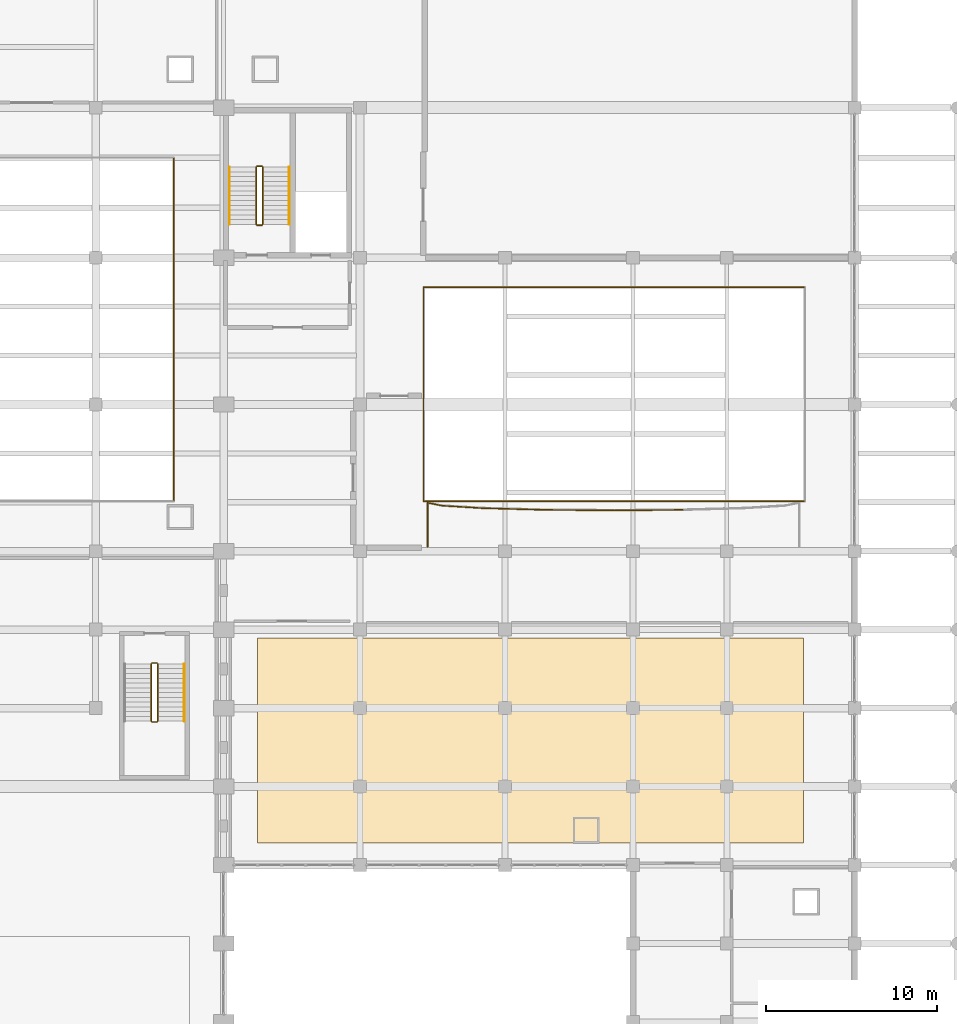
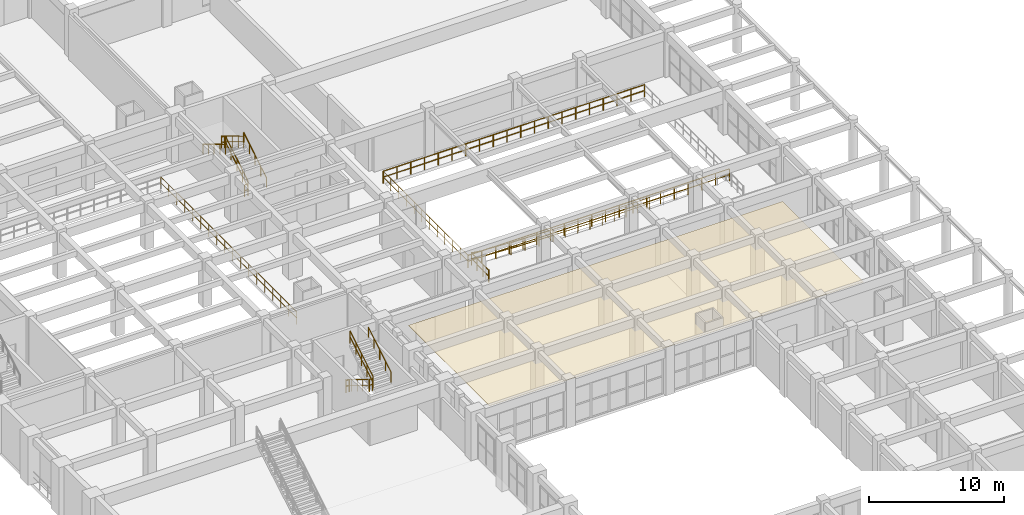
# One storey, part 115 of 116: 21 railings, 1 covering.
"""IFC4 building model written with IfcOpenShell, lengths in metres."""

from ifc_helpers import new_model, si_unit, direction, frame, origin, origin_2d, place, context, subcontext, project, spatial, polyline, circle, outline, extrude, material, layer, layer_set, type_object, element, save


model = new_model("IFC4")

# Units and contexts
model_context = context("Model", 3, precision=1e-05, world=origin(), true_north=direction((0.0, 1.0)))
body_context = subcontext(model_context, "Body", "Model", "MODEL_VIEW")
ifc_project = project(units=[si_unit("LENGTHUNIT", "METRE"), si_unit("AREAUNIT", "SQUARE_METRE"), si_unit("VOLUMEUNIT", "CUBIC_METRE"), si_unit("PLANEANGLEUNIT", "RADIAN"), si_unit("MASSUNIT", "GRAM", prefix="KILO")], contexts=[model_context])

# Site, building, storey
site_placement = place(None, origin())
site = spatial("IfcSite", under=ifc_project, at=site_placement, CompositionType="ELEMENT")
building_placement = place(site_placement, origin())
building = spatial("IfcBuilding", under=site, at=building_placement, Name="Muzn Square Opera House", CompositionType="ELEMENT")
storey_placement = place(building_placement, frame((0.0, 0.0, 5.39990234375)))
storey = spatial("IfcBuildingStorey", under=building, at=storey_placement, Name="L01", CompositionType="ELEMENT", Elevation=5.39990234375)

# Railings
ifc_material_1 = material(Name="Architectural bronze mashrabiya", Category="metal")
railing_type_1 = type_object("IfcRailingType", Name="Bronze Protective Balustrade 1120mm", PredefinedType="BALUSTRADE", material=ifc_material_1)
railing_1_placement = place(storey_placement, frame((130.080078125, 75.52001953125, 0.0)))
element("IfcRailing", 1, at=railing_1_placement, inside=storey, type_object=railing_type_1, Name="Void Edge Balustrade L01-0018", PredefinedType="BALUSTRADE", context=body_context, shape_type="SweptSolid", body=[
    extrude(circle(Radius=0.02392578125, at=origin_2d()), frame((0.0, 0.0, 1.09619140625), z_axis=(0.0, 1.0, 0.0), x_axis=(-1.0, 0.0, 0.0)), (0.0, 0.0, 1.0), 20.159912109375),
    extrude(circle(Radius=0.02392578125, at=origin_2d()), frame((0.0, 0.0, 0.56005859375), z_axis=(0.0, 1.0, 0.0), x_axis=(-1.0, 0.0, 0.0)), (0.0, 0.0, 1.0), 20.159912109375),
    extrude(circle(Radius=0.02099609375, at=origin_2d()), origin(), (0.0, 0.0, 1.0), 1.072021484375),
    extrude(circle(Radius=0.02099609375, at=origin_2d()), frame((0.0, 1.185791015625, 0.0)), (0.0, 0.0, 1.0), 1.072021484375),
    extrude(circle(Radius=0.02099609375, at=origin_2d()), frame((0.0, 2.371826171875, 0.0)), (0.0, 0.0, 1.0), 1.072021484375),
    extrude(circle(Radius=0.02099609375, at=origin_2d()), frame((0.0, 3.5576171875, 0.0)), (0.0, 0.0, 1.0), 1.072021484375),
    extrude(circle(Radius=0.02099609375, at=origin_2d()), frame((0.0, 4.743408203125, 0.0)), (0.0, 0.0, 1.0), 1.072021484375),
    extrude(circle(Radius=0.02099609375, at=origin_2d()), frame((0.0, 5.929443359375, 0.0)), (0.0, 0.0, 1.0), 1.072021484375),
    extrude(circle(Radius=0.02099609375, at=origin_2d()), frame((0.0, 7.115234375, 0.0)), (0.0, 0.0, 1.0), 1.072021484375),
    extrude(circle(Radius=0.02099609375, at=origin_2d()), frame((0.0, 8.301025390625, 0.0)), (0.0, 0.0, 1.0), 1.072021484375),
    extrude(circle(Radius=0.02099609375, at=origin_2d()), frame((0.0, 9.487060546875, 0.0)), (0.0, 0.0, 1.0), 1.072021484375),
    extrude(circle(Radius=0.02099609375, at=origin_2d()), frame((0.0, 10.6728515625, 0.0)), (0.0, 0.0, 1.0), 1.072021484375),
    extrude(circle(Radius=0.02099609375, at=origin_2d()), frame((0.0, 11.85888671875, 0.0)), (0.0, 0.0, 1.0), 1.072021484375),
    extrude(circle(Radius=0.02099609375, at=origin_2d()), frame((0.0, 13.044677734375, 0.0)), (0.0, 0.0, 1.0), 1.072021484375),
    extrude(circle(Radius=0.02099609375, at=origin_2d()), frame((0.0, 14.23046875, 0.0)), (0.0, 0.0, 1.0), 1.072021484375),
    extrude(circle(Radius=0.02099609375, at=origin_2d()), frame((0.0, 15.41650390625, 0.0)), (0.0, 0.0, 1.0), 1.072021484375),
    extrude(circle(Radius=0.02099609375, at=origin_2d()), frame((0.0, 16.602294921875, 0.0)), (0.0, 0.0, 1.0), 1.072021484375),
    extrude(circle(Radius=0.02099609375, at=origin_2d()), frame((0.0, 17.7880859375, 0.0)), (0.0, 0.0, 1.0), 1.072021484375),
    extrude(circle(Radius=0.02099609375, at=origin_2d()), frame((0.0, 18.97412109375, 0.0)), (0.0, 0.0, 1.0), 1.072021484375),
    extrude(circle(Radius=0.02099609375, at=origin_2d()), frame((0.0, 20.159912109375, 0.0)), (0.0, 0.0, 1.0), 1.072021484375),
])
railing_2_placement = place(storey_placement, frame((144.719970703125, 75.52001953125, 0.0)))
element("IfcRailing", 2, at=railing_2_placement, inside=storey, type_object=railing_type_1, Name="Void Edge Balustrade L01-0025", PredefinedType="BALUSTRADE", context=body_context, shape_type="SweptSolid", body=[
    extrude(circle(Radius=0.02392578125, at=origin_2d()), frame((0.0, 0.0, 1.09619140625), z_axis=(1.0, 0.0, 0.0), x_axis=(0.0, 1.0, 0.0)), (0.0, 0.0, 1.0), 22.360107421875),
    extrude(circle(Radius=0.02392578125, at=origin_2d()), frame((0.0, 0.0, 0.56005859375), z_axis=(1.0, 0.0, 0.0), x_axis=(0.0, 1.0, 0.0)), (0.0, 0.0, 1.0), 22.360107421875),
    extrude(circle(Radius=0.02099609375, at=origin_2d()), origin(), (0.0, 0.0, 1.0), 1.072021484375),
    extrude(circle(Radius=0.02099609375, at=origin_2d()), frame((1.1767578125, 0.0, 0.0)), (0.0, 0.0, 1.0), 1.072021484375),
    extrude(circle(Radius=0.02099609375, at=origin_2d()), frame((2.353759765625, 0.0, 0.0)), (0.0, 0.0, 1.0), 1.072021484375),
    extrude(circle(Radius=0.02099609375, at=origin_2d()), frame((3.530517578125, 0.0, 0.0)), (0.0, 0.0, 1.0), 1.072021484375),
    extrude(circle(Radius=0.02099609375, at=origin_2d()), frame((4.707275390625, 0.0, 0.0)), (0.0, 0.0, 1.0), 1.072021484375),
    extrude(circle(Radius=0.02099609375, at=origin_2d()), frame((5.88427734375, 0.0, 0.0)), (0.0, 0.0, 1.0), 1.072021484375),
    extrude(circle(Radius=0.02099609375, at=origin_2d()), frame((7.06103515625, 0.0, 0.0)), (0.0, 0.0, 1.0), 1.072021484375),
    extrude(circle(Radius=0.02099609375, at=origin_2d()), frame((8.238037109375, 0.0, 0.0)), (0.0, 0.0, 1.0), 1.072021484375),
    extrude(circle(Radius=0.02099609375, at=origin_2d()), frame((9.414794921875, 0.0, 0.0)), (0.0, 0.0, 1.0), 1.072021484375),
    extrude(circle(Radius=0.02099609375, at=origin_2d()), frame((10.591552734375, 0.0, 0.0)), (0.0, 0.0, 1.0), 1.072021484375),
    extrude(circle(Radius=0.02099609375, at=origin_2d()), frame((11.7685546875, 0.0, 0.0)), (0.0, 0.0, 1.0), 1.072021484375),
    extrude(circle(Radius=0.02099609375, at=origin_2d()), frame((12.9453125, 0.0, 0.0)), (0.0, 0.0, 1.0), 1.072021484375),
    extrude(circle(Radius=0.02099609375, at=origin_2d()), frame((14.1220703125, 0.0, 0.0)), (0.0, 0.0, 1.0), 1.072021484375),
    extrude(circle(Radius=0.02099609375, at=origin_2d()), frame((15.299072265625, 0.0, 0.0)), (0.0, 0.0, 1.0), 1.072021484375),
    extrude(circle(Radius=0.02099609375, at=origin_2d()), frame((16.475830078125, 0.0, 0.0)), (0.0, 0.0, 1.0), 1.072021484375),
    extrude(circle(Radius=0.02099609375, at=origin_2d()), frame((17.65283203125, 0.0, 0.0)), (0.0, 0.0, 1.0), 1.072021484375),
    extrude(circle(Radius=0.02099609375, at=origin_2d()), frame((18.82958984375, 0.0, 0.0)), (0.0, 0.0, 1.0), 1.072021484375),
    extrude(circle(Radius=0.02099609375, at=origin_2d()), frame((20.00634765625, 0.0, 0.0)), (0.0, 0.0, 1.0), 1.072021484375),
    extrude(circle(Radius=0.02099609375, at=origin_2d()), frame((21.183349609375, 0.0, 0.0)), (0.0, 0.0, 1.0), 1.072021484375),
    extrude(circle(Radius=0.02099609375, at=origin_2d()), frame((22.360107421875, 0.0, 0.0)), (0.0, 0.0, 1.0), 1.072021484375),
])
railing_3_placement = place(storey_placement, frame((167.080078125, 88.080078125, 0.0)))
element("IfcRailing", 3, at=railing_3_placement, inside=storey, type_object=railing_type_1, Name="Void Edge Balustrade L01-0027", PredefinedType="BALUSTRADE", context=body_context, shape_type="SweptSolid", body=[
    extrude(circle(Radius=0.02392578125, at=origin_2d()), frame((0.0, 0.0, 1.09619140625), z_axis=(-1.0, 0.0, 0.0), x_axis=(0.0, -1.0, 0.0)), (0.0, 0.0, 1.0), 22.360107421875),
    extrude(circle(Radius=0.02392578125, at=origin_2d()), frame((0.0, 0.0, 0.56005859375), z_axis=(-1.0, 0.0, 0.0), x_axis=(0.0, -1.0, 0.0)), (0.0, 0.0, 1.0), 22.360107421875),
    extrude(circle(Radius=0.02099609375, at=origin_2d()), origin(), (0.0, 0.0, 1.0), 1.072021484375),
    extrude(circle(Radius=0.02099609375, at=origin_2d()), frame((-1.1767578125, 0.0, 0.0)), (0.0, 0.0, 1.0), 1.072021484375),
    extrude(circle(Radius=0.02099609375, at=origin_2d()), frame((-2.353759765625, 0.0, 0.0)), (0.0, 0.0, 1.0), 1.072021484375),
    extrude(circle(Radius=0.02099609375, at=origin_2d()), frame((-3.530517578125, 0.0, 0.0)), (0.0, 0.0, 1.0), 1.072021484375),
    extrude(circle(Radius=0.02099609375, at=origin_2d()), frame((-4.707275390625, 0.0, 0.0)), (0.0, 0.0, 1.0), 1.072021484375),
    extrude(circle(Radius=0.02099609375, at=origin_2d()), frame((-5.88427734375, 0.0, 0.0)), (0.0, 0.0, 1.0), 1.072021484375),
    extrude(circle(Radius=0.02099609375, at=origin_2d()), frame((-7.06103515625, 0.0, 0.0)), (0.0, 0.0, 1.0), 1.072021484375),
    extrude(circle(Radius=0.02099609375, at=origin_2d()), frame((-8.238037109375, 0.0, 0.0)), (0.0, 0.0, 1.0), 1.072021484375),
    extrude(circle(Radius=0.02099609375, at=origin_2d()), frame((-9.414794921875, 0.0, 0.0)), (0.0, 0.0, 1.0), 1.072021484375),
    extrude(circle(Radius=0.02099609375, at=origin_2d()), frame((-10.591552734375, 0.0, 0.0)), (0.0, 0.0, 1.0), 1.072021484375),
    extrude(circle(Radius=0.02099609375, at=origin_2d()), frame((-11.7685546875, 0.0, 0.0)), (0.0, 0.0, 1.0), 1.072021484375),
    extrude(circle(Radius=0.02099609375, at=origin_2d()), frame((-12.9453125, 0.0, 0.0)), (0.0, 0.0, 1.0), 1.072021484375),
    extrude(circle(Radius=0.02099609375, at=origin_2d()), frame((-14.1220703125, 0.0, 0.0)), (0.0, 0.0, 1.0), 1.072021484375),
    extrude(circle(Radius=0.02099609375, at=origin_2d()), frame((-15.299072265625, 0.0, 0.0)), (0.0, 0.0, 1.0), 1.072021484375),
    extrude(circle(Radius=0.02099609375, at=origin_2d()), frame((-16.475830078125, 0.0, 0.0)), (0.0, 0.0, 1.0), 1.072021484375),
    extrude(circle(Radius=0.02099609375, at=origin_2d()), frame((-17.65283203125, 0.0, 0.0)), (0.0, 0.0, 1.0), 1.072021484375),
    extrude(circle(Radius=0.02099609375, at=origin_2d()), frame((-18.82958984375, 0.0, 0.0)), (0.0, 0.0, 1.0), 1.072021484375),
    extrude(circle(Radius=0.02099609375, at=origin_2d()), frame((-20.00634765625, 0.0, 0.0)), (0.0, 0.0, 1.0), 1.072021484375),
    extrude(circle(Radius=0.02099609375, at=origin_2d()), frame((-21.183349609375, 0.0, 0.0)), (0.0, 0.0, 1.0), 1.072021484375),
    extrude(circle(Radius=0.02099609375, at=origin_2d()), frame((-22.360107421875, 0.0, 0.0)), (0.0, 0.0, 1.0), 1.072021484375),
])
railing_4_placement = place(storey_placement, frame((144.719970703125, 88.080078125, 0.0)))
element("IfcRailing", 4, at=railing_4_placement, inside=storey, type_object=railing_type_1, Name="Void Edge Balustrade L01-0028", PredefinedType="BALUSTRADE", context=body_context, shape_type="SweptSolid", body=[
    extrude(circle(Radius=0.02392578125, at=origin_2d()), frame((0.0, 0.0, 1.09619140625), z_axis=(0.0, -1.0, 0.0), x_axis=(1.0, 0.0, 0.0)), (0.0, 0.0, 1.0), 12.56005859375),
    extrude(circle(Radius=0.02392578125, at=origin_2d()), frame((0.0, 0.0, 0.56005859375), z_axis=(0.0, -1.0, 0.0), x_axis=(1.0, 0.0, 0.0)), (0.0, 0.0, 1.0), 12.56005859375),
    extrude(circle(Radius=0.02099609375, at=origin_2d()), origin(), (0.0, 0.0, 1.0), 1.072021484375),
    extrude(circle(Radius=0.02099609375, at=origin_2d()), frame((0.0, -1.141845703125, 0.0)), (0.0, 0.0, 1.0), 1.072021484375),
    extrude(circle(Radius=0.02099609375, at=origin_2d()), frame((0.0, -2.28369140625, 0.0)), (0.0, 0.0, 1.0), 1.072021484375),
    extrude(circle(Radius=0.02099609375, at=origin_2d()), frame((0.0, -3.425537109375, 0.0)), (0.0, 0.0, 1.0), 1.072021484375),
    extrude(circle(Radius=0.02099609375, at=origin_2d()), frame((0.0, -4.5673828125, 0.0)), (0.0, 0.0, 1.0), 1.072021484375),
    extrude(circle(Radius=0.02099609375, at=origin_2d()), frame((0.0, -5.709228515625, 0.0)), (0.0, 0.0, 1.0), 1.072021484375),
    extrude(circle(Radius=0.02099609375, at=origin_2d()), frame((0.0, -6.850830078125, 0.0)), (0.0, 0.0, 1.0), 1.072021484375),
    extrude(circle(Radius=0.02099609375, at=origin_2d()), frame((0.0, -7.99267578125, 0.0)), (0.0, 0.0, 1.0), 1.072021484375),
    extrude(circle(Radius=0.02099609375, at=origin_2d()), frame((0.0, -9.134521484375, 0.0)), (0.0, 0.0, 1.0), 1.072021484375),
    extrude(circle(Radius=0.02099609375, at=origin_2d()), frame((0.0, -10.2763671875, 0.0)), (0.0, 0.0, 1.0), 1.072021484375),
    extrude(circle(Radius=0.02099609375, at=origin_2d()), frame((0.0, -11.418212890625, 0.0)), (0.0, 0.0, 1.0), 1.072021484375),
    extrude(circle(Radius=0.02099609375, at=origin_2d()), frame((0.0, -12.56005859375, 0.0)), (0.0, 0.0, 1.0), 1.072021484375),
])
railing_5_placement = place(storey_placement, frame((159.98046875, 75.0244140625, 0.2001953125)))
element("IfcRailing", 5, at=railing_5_placement, inside=storey, type_object=railing_type_1, Name="Auditorium Balcony Tier Front Balustrade L01-0171", PredefinedType="BALUSTRADE", context=body_context, shape_type="SweptSolid", body=[
    extrude(circle(Radius=0.02392578125, at=origin_2d()), frame((0.0, 0.0, 1.09619140625), z_axis=(-0.9999642433, -0.008456484034, 0.0), x_axis=(0.008456484034, -0.9999642433, 0.0)), (0.0, 0.0, 1.0), 4.07080078125),
    extrude(circle(Radius=0.02392578125, at=origin_2d()), frame((0.0, 0.0, 0.56005859375), z_axis=(-0.9999642433, -0.008456484034, 0.0), x_axis=(0.008456484034, -0.9999642433, 0.0)), (0.0, 0.0, 1.0), 4.07080078125),
    extrude(circle(Radius=0.02099609375, at=origin_2d()), origin(), (0.0, 0.0, 1.0), 1.072021484375),
    extrude(circle(Radius=0.02099609375, at=origin_2d()), frame((-1.017578125, -0.008544921875, 0.0)), (0.0, 0.0, 1.0), 1.072021484375),
    extrude(circle(Radius=0.02099609375, at=origin_2d()), frame((-2.03515625, -0.01708984375, 0.0)), (0.0, 0.0, 1.0), 1.072021484375),
    extrude(circle(Radius=0.02099609375, at=origin_2d()), frame((-3.052978515625, -0.02587890625, 0.0)), (0.0, 0.0, 1.0), 1.072021484375),
    extrude(circle(Radius=0.02099609375, at=origin_2d()), frame((-4.070556640625, -0.034423828125, 0.0)), (0.0, 0.0, 1.0), 1.072021484375),
])
railing_6_placement = place(storey_placement, frame((155.909912109375, 74.989990234375, 0.2001953125)))
element("IfcRailing", 6, at=railing_6_placement, inside=storey, type_object=railing_type_1, Name="Auditorium Balcony Tier Front Balustrade L01-0172", PredefinedType="BALUSTRADE", context=body_context, shape_type="SweptSolid", body=[
    extrude(circle(Radius=0.02392578125, at=origin_2d()), frame((0.0, 0.0, 1.09619140625), z_axis=(-0.999966259677, 0.008214591157, 0.0), x_axis=(-0.008214591157, -0.999966259677, 0.0)), (0.0, 0.0, 1.0), 4.190673828125),
    extrude(circle(Radius=0.02392578125, at=origin_2d()), frame((0.0, 0.0, 0.56005859375), z_axis=(-0.999966259677, 0.008214591157, 0.0), x_axis=(-0.008214591157, -0.999966259677, 0.0)), (0.0, 0.0, 1.0), 4.190673828125),
    extrude(circle(Radius=0.02099609375, at=origin_2d()), origin(), (0.0, 0.0, 1.0), 1.072021484375),
    extrude(circle(Radius=0.02099609375, at=origin_2d()), frame((-1.047607421875, 0.008544921875, 0.0)), (0.0, 0.0, 1.0), 1.072021484375),
    extrude(circle(Radius=0.02099609375, at=origin_2d()), frame((-2.09521484375, 0.01708984375, 0.0)), (0.0, 0.0, 1.0), 1.072021484375),
    extrude(circle(Radius=0.02099609375, at=origin_2d()), frame((-3.142822265625, 0.02587890625, 0.0)), (0.0, 0.0, 1.0), 1.072021484375),
    extrude(circle(Radius=0.02099609375, at=origin_2d()), frame((-4.1904296875, 0.034423828125, 0.0)), (0.0, 0.0, 1.0), 1.072021484375),
])
railing_7_placement = place(storey_placement, frame((151.719482421875, 75.0244140625, 0.2001953125)))
element("IfcRailing", 7, at=railing_7_placement, inside=storey, type_object=railing_type_1, Name="Auditorium Balcony Tier Front Balustrade L01-0173", PredefinedType="BALUSTRADE", context=body_context, shape_type="SweptSolid", body=[
    extrude(circle(Radius=0.02392578125, at=origin_2d()), frame((0.0, 0.0, 1.09619140625), z_axis=(-0.999624210233, 0.02741237525, 0.0), x_axis=(-0.02741237525, -0.999624210233, 0.0)), (0.0, 0.0, 1.0), 3.553466796875),
    extrude(circle(Radius=0.02392578125, at=origin_2d()), frame((0.0, 0.0, 0.56005859375), z_axis=(-0.999624210233, 0.02741237525, 0.0), x_axis=(-0.02741237525, -0.999624210233, 0.0)), (0.0, 0.0, 1.0), 3.553466796875),
    extrude(circle(Radius=0.02099609375, at=origin_2d()), origin(), (0.0, 0.0, 1.0), 1.072021484375),
    extrude(circle(Radius=0.02099609375, at=origin_2d()), frame((-1.18408203125, 0.032470703125, 0.0)), (0.0, 0.0, 1.0), 1.072021484375),
    extrude(circle(Radius=0.02099609375, at=origin_2d()), frame((-2.3681640625, 0.06494140625, 0.0)), (0.0, 0.0, 1.0), 1.072021484375),
    extrude(circle(Radius=0.02099609375, at=origin_2d()), frame((-3.55224609375, 0.097412109375, 0.0)), (0.0, 0.0, 1.0), 1.072021484375),
])
railing_8_placement = place(storey_placement, frame((148.167236328125, 75.121826171875, 0.2001953125)))
element("IfcRailing", 8, at=railing_8_placement, inside=storey, type_object=railing_type_1, Name="Auditorium Balcony Tier Front Balustrade L01-0174", PredefinedType="BALUSTRADE", context=body_context, shape_type="SweptSolid", body=[
    extrude(circle(Radius=0.02392578125, at=origin_2d()), frame((0.0, 0.0, 1.09619140625), z_axis=(-0.998113999395, 0.061387655213, 0.0), x_axis=(-0.061387655213, -0.998113999395, 0.0)), (0.0, 0.0, 1.0), 2.378173828125),
    extrude(circle(Radius=0.02392578125, at=origin_2d()), frame((0.0, 0.0, 0.56005859375), z_axis=(-0.998113999395, 0.061387655213, 0.0), x_axis=(-0.061387655213, -0.998113999395, 0.0)), (0.0, 0.0, 1.0), 2.378173828125),
    extrude(circle(Radius=0.02099609375, at=origin_2d()), origin(), (0.0, 0.0, 1.0), 1.072021484375),
    extrude(circle(Radius=0.02099609375, at=origin_2d()), frame((-1.18701171875, 0.072998046875, 0.0)), (0.0, 0.0, 1.0), 1.072021484375),
    extrude(circle(Radius=0.02099609375, at=origin_2d()), frame((-2.373779296875, 0.14599609375, 0.0)), (0.0, 0.0, 1.0), 1.072021484375),
])
railing_9_placement = place(storey_placement, frame((145.79345703125, 75.267822265625, 0.2001953125)))
element("IfcRailing", 9, at=railing_9_placement, inside=storey, type_object=railing_type_1, Name="Auditorium Balcony Tier Front Balustrade L01-0175", PredefinedType="BALUSTRADE", context=body_context, shape_type="SweptSolid", body=[
    extrude(circle(Radius=0.02392578125, at=origin_2d()), frame((0.0, 0.0, 1.09619140625), z_axis=(-0.979336888996, 0.202235649309, 0.0), x_axis=(-0.202235649309, -0.979336888996, 0.0)), (0.0, 0.0, 1.0), 0.85107421875),
    extrude(circle(Radius=0.02392578125, at=origin_2d()), frame((0.0, 0.0, 0.56005859375), z_axis=(-0.979336888996, 0.202235649309, 0.0), x_axis=(-0.202235649309, -0.979336888996, 0.0)), (0.0, 0.0, 1.0), 0.85107421875),
    extrude(circle(Radius=0.02099609375, at=origin_2d()), origin(), (0.0, 0.0, 1.0), 1.072021484375),
    extrude(circle(Radius=0.02099609375, at=origin_2d()), frame((-0.83349609375, 0.172119140625, 0.0)), (0.0, 0.0, 1.0), 1.072021484375),
])
railing_10_placement = place(storey_placement, frame((144.9599609375, 75.43994140625, 0.2001953125)))
element("IfcRailing", 10, at=railing_10_placement, inside=storey, type_object=railing_type_1, Name="Auditorium Balcony Tier Front Balustrade L01-0176", PredefinedType="BALUSTRADE", context=body_context, shape_type="SweptSolid", body=[
    extrude(circle(Radius=0.02392578125, at=origin_2d()), frame((0.0, 0.0, 1.09619140625), z_axis=(0.0, -1.0, 0.0), x_axis=(1.0, 0.0, 0.0)), (0.0, 0.0, 1.0), 2.579833984375),
    extrude(circle(Radius=0.02392578125, at=origin_2d()), frame((0.0, 0.0, 0.56005859375), z_axis=(0.0, -1.0, 0.0), x_axis=(1.0, 0.0, 0.0)), (0.0, 0.0, 1.0), 2.579833984375),
    extrude(circle(Radius=0.02099609375, at=origin_2d()), origin(), (0.0, 0.0, 1.0), 1.072021484375),
    extrude(circle(Radius=0.02099609375, at=origin_2d()), frame((0.0, -0.85986328125, 0.0)), (0.0, 0.0, 1.0), 1.072021484375),
    extrude(circle(Radius=0.02099609375, at=origin_2d()), frame((0.0, -1.719970703125, 0.0)), (0.0, 0.0, 1.0), 1.072021484375),
    extrude(circle(Radius=0.02099609375, at=origin_2d()), frame((0.0, -2.579833984375, 0.0)), (0.0, 0.0, 1.0), 1.072021484375),
])

# Covering
ifc_material_2 = material(Name="Acoustic walnut timber panelling", Category="wood")
ifc_layer = layer(ifc_material_2, 0.0400390625, Name="Acoustic walnut timber panelling", Category="wood")
ifc_layer_set = layer_set([ifc_layer], Name="Acoustic walnut timber panelling")
covering_type = type_object("IfcCoveringType", Name="Carved Walnut Acoustic Ceiling Cloud", PredefinedType="CEILING", material=ifc_layer_set)
covering_placement = place(storey_placement, frame((0.0, 0.0, 3.0)))
element("IfcCovering", 11, at=covering_placement, inside=storey, type_object=covering_type, Name="Fine-Dining Restaurant Acoustic Ceiling", PredefinedType="CEILING", context=body_context, shape_type="SweptSolid", body=[
    extrude(outline(polyline([(135.0, 55.5), (167.0, 55.5), (167.0, 67.5), (135.0, 67.5), (135.0, 55.5)])), origin(), (0.0, 0.0, 1.0), 0.0400390625),
])

# Railings
ifc_material_3 = material(Name="Brushed stainless steel", Category="metal")
railing_type_2 = type_object("IfcRailingType", Name="Stair Guard Railing 1120mm", PredefinedType="GUARDRAIL", material=ifc_material_3)
railing_11_placement = place(storey_placement, frame((135.2900390625, 91.760009765625, 0.16943359375)))
element("IfcRailing", 12, at=railing_11_placement, inside=storey, type_object=railing_type_2, Name="L01 ST-5 stair guard 1", PredefinedType="GUARDRAIL", context=body_context, shape_type="SweptSolid", body=[
    extrude(circle(Radius=0.02392578125, at=origin_2d()), frame((0.0, 0.0, 1.076171875), z_axis=(0.0, 0.855836976705, 0.517245656632), x_axis=(-1.0, 0.0, 0.0)), (0.0, 0.0, 1.0), 3.926025390625),
    extrude(circle(Radius=0.02392578125, at=origin_2d()), frame((0.0, 0.0, 0.550048828125), z_axis=(0.0, 0.855836976705, 0.517245656632), x_axis=(-1.0, 0.0, 0.0)), (0.0, 0.0, 1.0), 3.926025390625),
    extrude(circle(Radius=0.02099609375, at=origin_2d()), origin(), (0.0, 0.0, 1.0), 1.052001953125),
    extrude(circle(Radius=0.02099609375, at=origin_2d()), frame((0.0, 0.840087890625, 0.5078125)), (0.0, 0.0, 1.0), 1.052001953125),
    extrude(circle(Radius=0.02099609375, at=origin_2d()), frame((0.0, 1.68017578125, 1.015380859375)), (0.0, 0.0, 1.0), 1.052001953125),
    extrude(circle(Radius=0.02099609375, at=origin_2d()), frame((0.0, 2.52001953125, 1.52294921875)), (0.0, 0.0, 1.0), 1.052001953125),
    extrude(circle(Radius=0.02099609375, at=origin_2d()), frame((0.0, 3.360107421875, 2.03076171875)), (0.0, 0.0, 1.0), 1.052001953125),
])
railing_12_placement = place(storey_placement, frame((135.239990234375, 95.169921875, 2.2001953125)))
element("IfcRailing", 13, at=railing_12_placement, inside=storey, type_object=railing_type_2, Name="L01 ST-5 stair guard 2", PredefinedType="GUARDRAIL", context=body_context, shape_type="SweptSolid", body=[
    extrude(circle(Radius=0.02392578125, at=origin_2d()), frame((0.0, 0.0, 1.076171875), z_axis=(-1.0, 0.0, 0.0), x_axis=(0.0, -1.0, 0.0)), (0.0, 0.0, 1.0), 0.280029296875),
    extrude(circle(Radius=0.02392578125, at=origin_2d()), frame((0.0, 0.0, 0.550048828125), z_axis=(-1.0, 0.0, 0.0), x_axis=(0.0, -1.0, 0.0)), (0.0, 0.0, 1.0), 0.280029296875),
    extrude(circle(Radius=0.02099609375, at=origin_2d()), origin(), (0.0, 0.0, 1.0), 1.052001953125),
    extrude(circle(Radius=0.02099609375, at=origin_2d()), frame((-0.280029296875, 0.0, 0.0)), (0.0, 0.0, 1.0), 1.052001953125),
])
railing_13_placement = place(storey_placement, frame((134.909912109375, 95.1201171875, 2.369384765625)))
element("IfcRailing", 14, at=railing_13_placement, inside=storey, type_object=railing_type_2, Name="L01 ST-5 stair guard 3", PredefinedType="GUARDRAIL", context=body_context, shape_type="SweptSolid", body=[
    extrude(circle(Radius=0.02392578125, at=origin_2d()), frame((0.0, 0.0, 1.076171875), z_axis=(0.0, -0.855836976705, 0.517245656632), x_axis=(1.0, 0.0, 0.0)), (0.0, 0.0, 1.0), 3.926025390625),
    extrude(circle(Radius=0.02392578125, at=origin_2d()), frame((0.0, 0.0, 0.550048828125), z_axis=(0.0, -0.855836976705, 0.517245656632), x_axis=(1.0, 0.0, 0.0)), (0.0, 0.0, 1.0), 3.926025390625),
    extrude(circle(Radius=0.02099609375, at=origin_2d()), origin(), (0.0, 0.0, 1.0), 1.052001953125),
    extrude(circle(Radius=0.02099609375, at=origin_2d()), frame((0.0, -0.840087890625, 0.5078125)), (0.0, 0.0, 1.0), 1.052001953125),
    extrude(circle(Radius=0.02099609375, at=origin_2d()), frame((0.0, -1.68017578125, 1.015380859375)), (0.0, 0.0, 1.0), 1.052001953125),
    extrude(circle(Radius=0.02099609375, at=origin_2d()), frame((0.0, -2.52001953125, 1.52294921875)), (0.0, 0.0, 1.0), 1.052001953125),
    extrude(circle(Radius=0.02099609375, at=origin_2d()), frame((0.0, -3.360107421875, 2.03076171875)), (0.0, 0.0, 1.0), 1.052001953125),
])
railing_14_placement = place(storey_placement, frame((135.239990234375, 91.7099609375, 0.0)))
element("IfcRailing", 15, at=railing_14_placement, inside=storey, type_object=railing_type_2, Name="L01 ST-5 stair guard 4", PredefinedType="GUARDRAIL", context=body_context, shape_type="SweptSolid", body=[
    extrude(circle(Radius=0.02392578125, at=origin_2d()), frame((0.0, 0.0, 1.076171875), z_axis=(-1.0, 0.0, 0.0), x_axis=(0.0, -1.0, 0.0)), (0.0, 0.0, 1.0), 0.280029296875),
    extrude(circle(Radius=0.02392578125, at=origin_2d()), frame((0.0, 0.0, 0.550048828125), z_axis=(-1.0, 0.0, 0.0), x_axis=(0.0, -1.0, 0.0)), (0.0, 0.0, 1.0), 0.280029296875),
    extrude(circle(Radius=0.02099609375, at=origin_2d()), origin(), (0.0, 0.0, 1.0), 1.052001953125),
    extrude(circle(Radius=0.02099609375, at=origin_2d()), frame((-0.280029296875, 0.0, 0.0)), (0.0, 0.0, 1.0), 1.052001953125),
])
railing_15_placement = place(storey_placement, frame((128.760009765625, 65.989990234375, 0.16943359375)))
element("IfcRailing", 16, at=railing_15_placement, inside=storey, type_object=railing_type_2, Name="L01 ST-10 stair guard 1", PredefinedType="GUARDRAIL", context=body_context, shape_type="SweptSolid", body=[
    extrude(circle(Radius=0.02392578125, at=origin_2d()), frame((0.0, 0.0, 1.076171875), z_axis=(0.0, -0.855836976705, 0.517245656632), x_axis=(1.0, 0.0, 0.0)), (0.0, 0.0, 1.0), 3.926025390625),
    extrude(circle(Radius=0.02392578125, at=origin_2d()), frame((0.0, 0.0, 0.550048828125), z_axis=(0.0, -0.855836976705, 0.517245656632), x_axis=(1.0, 0.0, 0.0)), (0.0, 0.0, 1.0), 3.926025390625),
    extrude(circle(Radius=0.02099609375, at=origin_2d()), origin(), (0.0, 0.0, 1.0), 1.052001953125),
    extrude(circle(Radius=0.02099609375, at=origin_2d()), frame((0.0, -0.840087890625, 0.5078125)), (0.0, 0.0, 1.0), 1.052001953125),
    extrude(circle(Radius=0.02099609375, at=origin_2d()), frame((0.0, -1.68017578125, 1.015380859375)), (0.0, 0.0, 1.0), 1.052001953125),
    extrude(circle(Radius=0.02099609375, at=origin_2d()), frame((0.0, -2.52001953125, 1.52294921875)), (0.0, 0.0, 1.0), 1.052001953125),
    extrude(circle(Radius=0.02099609375, at=origin_2d()), frame((0.0, -3.360107421875, 2.03076171875)), (0.0, 0.0, 1.0), 1.052001953125),
])
railing_16_placement = place(storey_placement, frame((128.81005859375, 62.580078125, 2.2001953125)))
element("IfcRailing", 17, at=railing_16_placement, inside=storey, type_object=railing_type_2, Name="L01 ST-10 stair guard 2", PredefinedType="GUARDRAIL", context=body_context, shape_type="SweptSolid", body=[
    extrude(circle(Radius=0.02392578125, at=origin_2d()), frame((0.0, 0.0, 1.076171875), z_axis=(1.0, 0.0, 0.0), x_axis=(0.0, 1.0, 0.0)), (0.0, 0.0, 1.0), 0.280029296875),
    extrude(circle(Radius=0.02392578125, at=origin_2d()), frame((0.0, 0.0, 0.550048828125), z_axis=(1.0, 0.0, 0.0), x_axis=(0.0, 1.0, 0.0)), (0.0, 0.0, 1.0), 0.280029296875),
    extrude(circle(Radius=0.02099609375, at=origin_2d()), origin(), (0.0, 0.0, 1.0), 1.052001953125),
    extrude(circle(Radius=0.02099609375, at=origin_2d()), frame((0.280029296875, 0.0, 0.0)), (0.0, 0.0, 1.0), 1.052001953125),
])
railing_17_placement = place(storey_placement, frame((129.139892578125, 62.6298828125, 2.369384765625)))
element("IfcRailing", 18, at=railing_17_placement, inside=storey, type_object=railing_type_2, Name="L01 ST-10 stair guard 3", PredefinedType="GUARDRAIL", context=body_context, shape_type="SweptSolid", body=[
    extrude(circle(Radius=0.02392578125, at=origin_2d()), frame((0.0, 0.0, 1.076171875), z_axis=(0.0, 0.855836976705, 0.517245656632), x_axis=(-1.0, 0.0, 0.0)), (0.0, 0.0, 1.0), 3.926025390625),
    extrude(circle(Radius=0.02392578125, at=origin_2d()), frame((0.0, 0.0, 0.550048828125), z_axis=(0.0, 0.855836976705, 0.517245656632), x_axis=(-1.0, 0.0, 0.0)), (0.0, 0.0, 1.0), 3.926025390625),
    extrude(circle(Radius=0.02099609375, at=origin_2d()), origin(), (0.0, 0.0, 1.0), 1.052001953125),
    extrude(circle(Radius=0.02099609375, at=origin_2d()), frame((0.0, 0.840087890625, 0.5078125)), (0.0, 0.0, 1.0), 1.052001953125),
    extrude(circle(Radius=0.02099609375, at=origin_2d()), frame((0.0, 1.68017578125, 1.015380859375)), (0.0, 0.0, 1.0), 1.052001953125),
    extrude(circle(Radius=0.02099609375, at=origin_2d()), frame((0.0, 2.52001953125, 1.52294921875)), (0.0, 0.0, 1.0), 1.052001953125),
    extrude(circle(Radius=0.02099609375, at=origin_2d()), frame((0.0, 3.360107421875, 2.03076171875)), (0.0, 0.0, 1.0), 1.052001953125),
])
railing_18_placement = place(storey_placement, frame((128.81005859375, 66.0400390625, 0.0)))
element("IfcRailing", 19, at=railing_18_placement, inside=storey, type_object=railing_type_2, Name="L01 ST-10 stair guard 4", PredefinedType="GUARDRAIL", context=body_context, shape_type="SweptSolid", body=[
    extrude(circle(Radius=0.02392578125, at=origin_2d()), frame((0.0, 0.0, 1.076171875), z_axis=(1.0, 0.0, 0.0), x_axis=(0.0, 1.0, 0.0)), (0.0, 0.0, 1.0), 0.280029296875),
    extrude(circle(Radius=0.02392578125, at=origin_2d()), frame((0.0, 0.0, 0.550048828125), z_axis=(1.0, 0.0, 0.0), x_axis=(0.0, 1.0, 0.0)), (0.0, 0.0, 1.0), 0.280029296875),
    extrude(circle(Radius=0.02099609375, at=origin_2d()), origin(), (0.0, 0.0, 1.0), 1.052001953125),
    extrude(circle(Radius=0.02099609375, at=origin_2d()), frame((0.280029296875, 0.0, 0.0)), (0.0, 0.0, 1.0), 1.052001953125),
])
railing_type_3 = type_object("IfcRailingType", Name="Stair Pitch Handrail 900mm", PredefinedType="HANDRAIL", material=ifc_material_3)
railing_19_placement = place(storey_placement, frame((136.85009765625, 91.760009765625, 0.16943359375)))
element("IfcRailing", 20, at=railing_19_placement, inside=storey, type_object=railing_type_3, Name="L01 ST-5 stair handrail 1", PredefinedType="HANDRAIL", context=body_context, shape_type="SweptSolid", body=[
    extrude(circle(Radius=0.02392578125, at=origin_2d()), frame((0.0, 0.0, 0.8759765625), z_axis=(0.0, 0.855836976705, 0.517245656632), x_axis=(-1.0, 0.0, 0.0)), (0.0, 0.0, 1.0), 3.926025390625),
    extrude(circle(Radius=0.02099609375, at=origin_2d()), origin(), (0.0, 0.0, 1.0), 0.851806640625),
    extrude(circle(Radius=0.02099609375, at=origin_2d()), frame((0.0, 0.840087890625, 0.5078125)), (0.0, 0.0, 1.0), 0.851806640625),
    extrude(circle(Radius=0.02099609375, at=origin_2d()), frame((0.0, 1.68017578125, 1.015380859375)), (0.0, 0.0, 1.0), 0.851806640625),
    extrude(circle(Radius=0.02099609375, at=origin_2d()), frame((0.0, 2.52001953125, 1.52294921875)), (0.0, 0.0, 1.0), 0.851806640625),
    extrude(circle(Radius=0.02099609375, at=origin_2d()), frame((0.0, 3.360107421875, 2.03076171875)), (0.0, 0.0, 1.0), 0.851806640625),
])
railing_20_placement = place(storey_placement, frame((133.35009765625, 95.1201171875, 2.369384765625)))
element("IfcRailing", 21, at=railing_20_placement, inside=storey, type_object=railing_type_3, Name="L01 ST-5 stair handrail 2", PredefinedType="HANDRAIL", context=body_context, shape_type="SweptSolid", body=[
    extrude(circle(Radius=0.02392578125, at=origin_2d()), frame((0.0, 0.0, 0.8759765625), z_axis=(0.0, -0.855836976705, 0.517245656632), x_axis=(1.0, 0.0, 0.0)), (0.0, 0.0, 1.0), 3.926025390625),
    extrude(circle(Radius=0.02099609375, at=origin_2d()), origin(), (0.0, 0.0, 1.0), 0.851806640625),
    extrude(circle(Radius=0.02099609375, at=origin_2d()), frame((0.0, -0.840087890625, 0.5078125)), (0.0, 0.0, 1.0), 0.851806640625),
    extrude(circle(Radius=0.02099609375, at=origin_2d()), frame((0.0, -1.68017578125, 1.015380859375)), (0.0, 0.0, 1.0), 0.851806640625),
    extrude(circle(Radius=0.02099609375, at=origin_2d()), frame((0.0, -2.52001953125, 1.52294921875)), (0.0, 0.0, 1.0), 0.851806640625),
    extrude(circle(Radius=0.02099609375, at=origin_2d()), frame((0.0, -3.360107421875, 2.03076171875)), (0.0, 0.0, 1.0), 0.851806640625),
])
railing_21_placement = place(storey_placement, frame((130.699951171875, 62.6298828125, 2.369384765625)))
element("IfcRailing", 22, at=railing_21_placement, inside=storey, type_object=railing_type_3, Name="L01 ST-10 stair handrail 2", PredefinedType="HANDRAIL", context=body_context, shape_type="SweptSolid", body=[
    extrude(circle(Radius=0.02392578125, at=origin_2d()), frame((0.0, 0.0, 0.8759765625), z_axis=(0.0, 0.855836976705, 0.517245656632), x_axis=(-1.0, 0.0, 0.0)), (0.0, 0.0, 1.0), 3.926025390625),
    extrude(circle(Radius=0.02099609375, at=origin_2d()), origin(), (0.0, 0.0, 1.0), 0.851806640625),
    extrude(circle(Radius=0.02099609375, at=origin_2d()), frame((0.0, 0.840087890625, 0.5078125)), (0.0, 0.0, 1.0), 0.851806640625),
    extrude(circle(Radius=0.02099609375, at=origin_2d()), frame((0.0, 1.68017578125, 1.015380859375)), (0.0, 0.0, 1.0), 0.851806640625),
    extrude(circle(Radius=0.02099609375, at=origin_2d()), frame((0.0, 2.52001953125, 1.52294921875)), (0.0, 0.0, 1.0), 0.851806640625),
    extrude(circle(Radius=0.02099609375, at=origin_2d()), frame((0.0, 3.360107421875, 2.03076171875)), (0.0, 0.0, 1.0), 0.851806640625),
])

save(model, "model.ifc")
